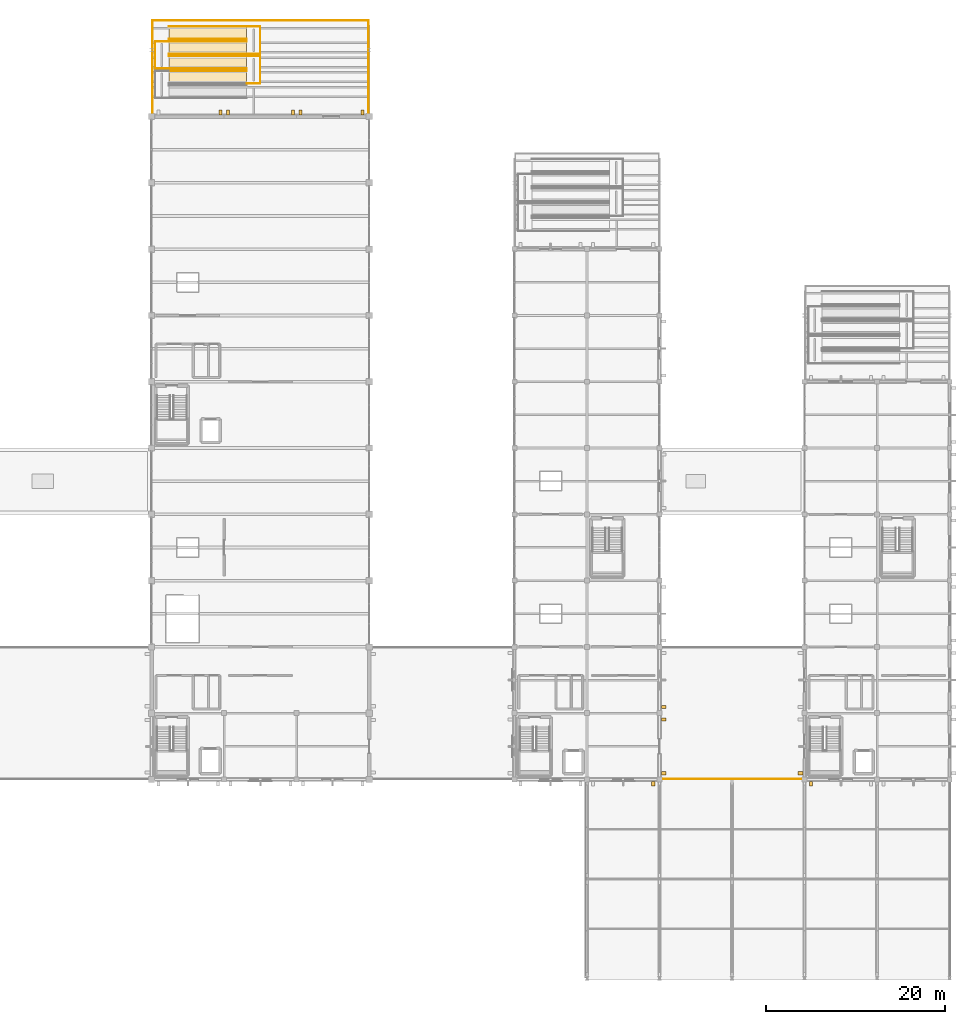
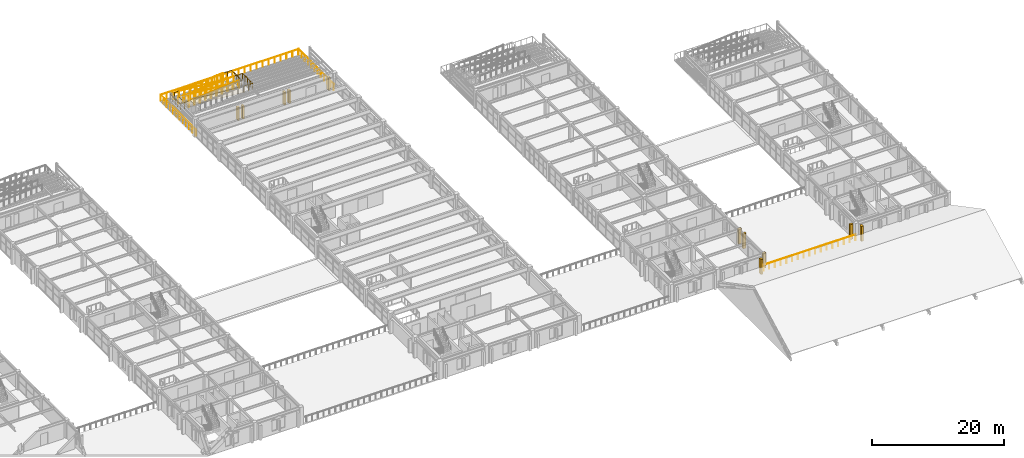
# One storey, part 119 of 121: 12 railings, 11 shading devices, 4 coverings.
"""IFC4 building model written with IfcOpenShell, lengths in metres."""

from ifc_helpers import new_model, si_unit, direction, frame, origin, origin_2d, place, context, subcontext, project, spatial, polyline, rectangle, circle, outline, extrude, material, layer, layer_set, type_object, element, save


model = new_model("IFC4")

# Units and contexts
model_context = context("Model", 3, precision=1e-05, world=origin(), true_north=direction((0.0, 1.0)))
body_context = subcontext(model_context, "Body", "Model", "MODEL_VIEW")
ifc_project = project(units=[si_unit("LENGTHUNIT", "METRE"), si_unit("AREAUNIT", "SQUARE_METRE"), si_unit("VOLUMEUNIT", "CUBIC_METRE"), si_unit("PLANEANGLEUNIT", "RADIAN"), si_unit("MASSUNIT", "GRAM", prefix="KILO")], contexts=[model_context])

# Site, building, storey
site_placement = place(None, origin())
site = spatial("IfcSite", under=ifc_project, at=site_placement, CompositionType="ELEMENT")
building_placement = place(site_placement, origin())
building = spatial("IfcBuilding", under=site, at=building_placement, Name="Cimatlan Art Gallery", CompositionType="ELEMENT")
storey_placement = place(building_placement, frame((0.0, 0.0, 10.199951171875)))
storey = spatial("IfcBuildingStorey", under=building, at=storey_placement, Name="L02", CompositionType="ELEMENT", Elevation=10.199951171875)

# Coverings
ifc_material_1 = material(Name="Queretaro cantera limestone ashlar hood-mould", Category="masonry")
ifc_layer = layer(ifc_material_1, 0.0419921875)
ifc_layer_set = layer_set([ifc_layer], Name="Queretaro cantera limestone ashlar hood-mould")
covering_type = type_object("IfcCoveringType", Name="COV-CLAD-CANTERA-42", PredefinedType="CLADDING", material=ifc_layer_set)
for number, where, z_axis, x_axis, name in (
    (1, (76.85009765625, 106.5, 0.0), (-0.08304314939, 0.0, 0.996545952447), (0.996545952447, 0.0, 0.08304314939), "COV-RMP-TER-B3-FL1"),
    (2, (76.85009765625, 104.85009765625, 1.43994140625), (0.08304314939, 0.0, 0.996545952447), (0.996545952447, 0.0, -0.08304314939), "COV-RMP-TER-B3-FL2"),
):
    element("IfcCovering", number, at=place(storey_placement, frame(where, z_axis=z_axis, x_axis=x_axis)), inside=storey, type_object=covering_type, Name=name, PredefinedType="CLADDING", context=body_context, shape_type="SweptSolid", body=[
        extrude(outline(polyline([(0.0, 0.0), (8.669838612967244, 0.0), (8.669838612967244, 1.5000000000000004), (0.0, 1.5000000000000004), (0.0, 0.0)])), origin(), (0.0, 0.0, -1.0), 0.02490234375),
    ])
covering_1_placement = place(storey_placement, frame((76.85009765625, 103.199951171875, 1.43994140625), z_axis=(-0.083071114863, 0.0, 0.996543621662), x_axis=(0.996543621662, 0.0, 0.083071114863)))
element("IfcCovering", 3, at=covering_1_placement, inside=storey, type_object=covering_type, Name="COV-RMP-TER-B3-FL3", PredefinedType="CLADDING", context=body_context, shape_type="SweptSolid", body=[
    extrude(outline(polyline([(0.0, 0.0), (8.669858890587395, 0.0), (8.669858890587395, 1.4999999999999998), (0.0, 1.4999999999999998), (0.0, 0.0)])), origin(), (0.0, 0.0, -1.0), 0.02490234375),
])
covering_2_placement = place(storey_placement, frame((76.85009765625, 101.550048828125, 2.880126953125), z_axis=(0.08304314939, 0.0, 0.996545952447), x_axis=(0.996545952447, 0.0, -0.08304314939)))
element("IfcCovering", 4, at=covering_2_placement, inside=storey, type_object=covering_type, Name="COV-RMP-TER-B3-FL4", PredefinedType="CLADDING", context=body_context, shape_type="SweptSolid", body=[
    extrude(outline(polyline([(0.0, 0.0), (8.669838612967244, 0.0), (8.669838612967244, 1.5000000000000004), (0.0, 1.5000000000000004), (0.0, 0.0)])), origin(), (0.0, 0.0, -1.0), 0.02490234375),
])

# Railings
ifc_material_2 = material(Name="Anodised bronze and laminated glass balustrade", Category="glass")
railing_type = type_object("IfcRailingType", Name="RL-BAL-EXT-1100", PredefinedType="BALUSTRADE", material=ifc_material_2)
for number, where, name in (
    (5, (76.85009765625, 106.550048828125, 0.0), "RMP-TER-B3-GR-F1S"),
    (6, (76.85009765625, 107.949951171875, 0.0), "RMP-TER-B3-GR-F1N"),
):
    element("IfcRailing", number, at=place(storey_placement, frame(where)), inside=storey, type_object=railing_type, Name=name, PredefinedType="BALUSTRADE", context=body_context, shape_type="SweptSolid", body=[
        extrude(circle(Radius=0.02587890625, at=origin_2d()), frame((0.0, 0.0, 1.09423828125), z_axis=(0.996545952447, 0.0, 0.08304314939), x_axis=(0.0, 1.0, 0.0)), (0.0, 0.0, 1.0), 8.669921875),
        extrude(circle(Radius=0.02099609375, at=origin_2d()), origin(), (0.0, 0.0, 1.0), 1.068115234375),
        extrude(circle(Radius=0.02099609375, at=origin_2d()), frame((0.9599609375, 0.0, 0.080078125)), (0.0, 0.0, 1.0), 1.068115234375),
        extrude(circle(Radius=0.02099609375, at=origin_2d()), frame((1.919921875, 0.0, 0.159912109375)), (0.0, 0.0, 1.0), 1.068115234375),
        extrude(circle(Radius=0.02099609375, at=origin_2d()), frame((2.8798828125, 0.0, 0.239990234375)), (0.0, 0.0, 1.0), 1.068115234375),
        extrude(circle(Radius=0.02099609375, at=origin_2d()), frame((3.83984375, 0.0, 0.320068359375)), (0.0, 0.0, 1.0), 1.068115234375),
        extrude(circle(Radius=0.02099609375, at=origin_2d()), frame((4.800048828125, 0.0, 0.39990234375)), (0.0, 0.0, 1.0), 1.068115234375),
        extrude(circle(Radius=0.02099609375, at=origin_2d()), frame((5.760009765625, 0.0, 0.47998046875)), (0.0, 0.0, 1.0), 1.068115234375),
        extrude(circle(Radius=0.02099609375, at=origin_2d()), frame((6.719970703125, 0.0, 0.56005859375)), (0.0, 0.0, 1.0), 1.068115234375),
        extrude(circle(Radius=0.02099609375, at=origin_2d()), frame((7.679931640625, 0.0, 0.639892578125)), (0.0, 0.0, 1.0), 1.068115234375),
        extrude(circle(Radius=0.02099609375, at=origin_2d()), frame((8.639892578125, 0.0, 0.719970703125)), (0.0, 0.0, 1.0), 1.068115234375),
    ])
railing_1_placement = place(storey_placement, frame((85.530029296875, 107.949951171875, 0.719970703125)))
element("IfcRailing", 7, at=railing_1_placement, inside=storey, type_object=railing_type, Name="RMP-TER-B3-GR-L1", PredefinedType="BALUSTRADE", context=body_context, shape_type="SweptSolid", body=[
    extrude(circle(Radius=0.02587890625, at=origin_2d()), frame((0.0, 0.0, 1.09423828125), z_axis=(1.0, 0.0, 0.0), x_axis=(0.0, 1.0, 0.0)), (0.0, 0.0, 1.0), 1.5),
    extrude(circle(Radius=0.02587890625, at=origin_2d()), frame((1.5, 0.0, 1.09423828125), z_axis=(0.0, -1.0, 0.0), x_axis=(1.0, 0.0, 0.0)), (0.0, 0.0, 1.0), 3.050048828125),
    extrude(circle(Radius=0.02587890625, at=origin_2d()), frame((1.5, -3.050048828125, 1.09423828125), z_axis=(-1.0, 0.0, 0.0), x_axis=(0.0, -1.0, 0.0)), (0.0, 0.0, 1.0), 1.5),
    extrude(circle(Radius=0.02099609375, at=origin_2d()), origin(), (0.0, 0.0, 1.0), 1.068115234375),
    extrude(circle(Radius=0.02099609375, at=origin_2d()), frame((0.75, 0.0, 0.0)), (0.0, 0.0, 1.0), 1.068115234375),
    extrude(circle(Radius=0.02099609375, at=origin_2d()), frame((1.5, 0.0, 0.0)), (0.0, 0.0, 1.0), 1.068115234375),
    extrude(circle(Radius=0.02099609375, at=origin_2d()), frame((1.5, -0.762451171875, 0.0)), (0.0, 0.0, 1.0), 1.068115234375),
    extrude(circle(Radius=0.02099609375, at=origin_2d()), frame((1.5, -1.52490234375, 0.0)), (0.0, 0.0, 1.0), 1.068115234375),
    extrude(circle(Radius=0.02099609375, at=origin_2d()), frame((1.5, -2.28759765625, 0.0)), (0.0, 0.0, 1.0), 1.068115234375),
    extrude(circle(Radius=0.02099609375, at=origin_2d()), frame((1.5, -3.050048828125, 0.0)), (0.0, 0.0, 1.0), 1.068115234375),
    extrude(circle(Radius=0.02099609375, at=origin_2d()), frame((0.75, -3.050048828125, 0.0)), (0.0, 0.0, 1.0), 1.068115234375),
    extrude(circle(Radius=0.02099609375, at=origin_2d()), frame((0.0, -3.050048828125, 0.0)), (0.0, 0.0, 1.0), 1.068115234375),
])
for number, where, name in (
    (8, (85.489990234375, 104.89990234375, 0.719970703125), "RMP-TER-B3-GR-F2S"),
    (9, (85.489990234375, 106.300048828125, 0.719970703125), "RMP-TER-B3-GR-F2N"),
):
    element("IfcRailing", number, at=place(storey_placement, frame(where)), inside=storey, type_object=railing_type, Name=name, PredefinedType="BALUSTRADE", context=body_context, shape_type="SweptSolid", body=[
        extrude(circle(Radius=0.02587890625, at=origin_2d()), frame((0.0, 0.0, 1.09423828125), z_axis=(-0.996545952447, 0.0, 0.08304314939), x_axis=(0.0, -1.0, 0.0)), (0.0, 0.0, 1.0), 8.669921875),
        extrude(circle(Radius=0.02099609375, at=origin_2d()), origin(), (0.0, 0.0, 1.0), 1.068115234375),
        extrude(circle(Radius=0.02099609375, at=origin_2d()), frame((-0.9599609375, 0.0, 0.080078125)), (0.0, 0.0, 1.0), 1.068115234375),
        extrude(circle(Radius=0.02099609375, at=origin_2d()), frame((-1.919921875, 0.0, 0.159912109375)), (0.0, 0.0, 1.0), 1.068115234375),
        extrude(circle(Radius=0.02099609375, at=origin_2d()), frame((-2.8798828125, 0.0, 0.239990234375)), (0.0, 0.0, 1.0), 1.068115234375),
        extrude(circle(Radius=0.02099609375, at=origin_2d()), frame((-3.83984375, 0.0, 0.320068359375)), (0.0, 0.0, 1.0), 1.068115234375),
        extrude(circle(Radius=0.02099609375, at=origin_2d()), frame((-4.800048828125, 0.0, 0.39990234375)), (0.0, 0.0, 1.0), 1.068115234375),
        extrude(circle(Radius=0.02099609375, at=origin_2d()), frame((-5.760009765625, 0.0, 0.47998046875)), (0.0, 0.0, 1.0), 1.068115234375),
        extrude(circle(Radius=0.02099609375, at=origin_2d()), frame((-6.719970703125, 0.0, 0.56005859375)), (0.0, 0.0, 1.0), 1.068115234375),
        extrude(circle(Radius=0.02099609375, at=origin_2d()), frame((-7.679931640625, 0.0, 0.639892578125)), (0.0, 0.0, 1.0), 1.068115234375),
        extrude(circle(Radius=0.02099609375, at=origin_2d()), frame((-8.639892578125, 0.0, 0.719970703125)), (0.0, 0.0, 1.0), 1.068115234375),
    ])
railing_2_placement = place(storey_placement, frame((76.81005859375, 106.300048828125, 1.43994140625)))
element("IfcRailing", 10, at=railing_2_placement, inside=storey, type_object=railing_type, Name="RMP-TER-B3-GR-L2", PredefinedType="BALUSTRADE", context=body_context, shape_type="SweptSolid", body=[
    extrude(circle(Radius=0.02587890625, at=origin_2d()), frame((0.0, 0.0, 1.09423828125), z_axis=(-1.0, 0.0, 0.0), x_axis=(0.0, -1.0, 0.0)), (0.0, 0.0, 1.0), 1.5),
    extrude(circle(Radius=0.02587890625, at=origin_2d()), frame((-1.5, 0.0, 1.09423828125), z_axis=(0.0, -1.0, 0.0), x_axis=(1.0, 0.0, 0.0)), (0.0, 0.0, 1.0), 3.050048828125),
    extrude(circle(Radius=0.02587890625, at=origin_2d()), frame((-1.5, -3.050048828125, 1.09423828125), z_axis=(1.0, 0.0, 0.0), x_axis=(0.0, 1.0, 0.0)), (0.0, 0.0, 1.0), 1.5),
    extrude(circle(Radius=0.02099609375, at=origin_2d()), origin(), (0.0, 0.0, 1.0), 1.068115234375),
    extrude(circle(Radius=0.02099609375, at=origin_2d()), frame((-0.75, 0.0, 0.0)), (0.0, 0.0, 1.0), 1.068115234375),
    extrude(circle(Radius=0.02099609375, at=origin_2d()), frame((-1.5, 0.0, 0.0)), (0.0, 0.0, 1.0), 1.068115234375),
    extrude(circle(Radius=0.02099609375, at=origin_2d()), frame((-1.5, -0.762451171875, 0.0)), (0.0, 0.0, 1.0), 1.068115234375),
    extrude(circle(Radius=0.02099609375, at=origin_2d()), frame((-1.5, -1.52490234375, 0.0)), (0.0, 0.0, 1.0), 1.068115234375),
    extrude(circle(Radius=0.02099609375, at=origin_2d()), frame((-1.5, -2.28759765625, 0.0)), (0.0, 0.0, 1.0), 1.068115234375),
    extrude(circle(Radius=0.02099609375, at=origin_2d()), frame((-1.5, -3.050048828125, 0.0)), (0.0, 0.0, 1.0), 1.068115234375),
    extrude(circle(Radius=0.02099609375, at=origin_2d()), frame((-0.75, -3.050048828125, 0.0)), (0.0, 0.0, 1.0), 1.068115234375),
    extrude(circle(Radius=0.02099609375, at=origin_2d()), frame((0.0, -3.050048828125, 0.0)), (0.0, 0.0, 1.0), 1.068115234375),
])
for number, where, name in (
    (11, (76.85009765625, 103.25, 1.43994140625), "RMP-TER-B3-GR-F3S"),
    (12, (76.85009765625, 104.64990234375, 1.43994140625), "RMP-TER-B3-GR-F3N"),
):
    element("IfcRailing", number, at=place(storey_placement, frame(where)), inside=storey, type_object=railing_type, Name=name, PredefinedType="BALUSTRADE", context=body_context, shape_type="SweptSolid", body=[
        extrude(circle(Radius=0.02587890625, at=origin_2d()), frame((0.0, 0.0, 1.09423828125), z_axis=(0.996543621662, 0.0, 0.083071114863), x_axis=(0.0, 1.0, 0.0)), (0.0, 0.0, 1.0), 8.669921875),
        extrude(circle(Radius=0.02099609375, at=origin_2d()), origin(), (0.0, 0.0, 1.0), 1.068115234375),
        extrude(circle(Radius=0.02099609375, at=origin_2d()), frame((0.9599609375, 0.0, 0.080078125)), (0.0, 0.0, 1.0), 1.068115234375),
        extrude(circle(Radius=0.02099609375, at=origin_2d()), frame((1.919921875, 0.0, 0.16015625)), (0.0, 0.0, 1.0), 1.068115234375),
        extrude(circle(Radius=0.02099609375, at=origin_2d()), frame((2.8798828125, 0.0, 0.239990234375)), (0.0, 0.0, 1.0), 1.068115234375),
        extrude(circle(Radius=0.02099609375, at=origin_2d()), frame((3.83984375, 0.0, 0.320068359375)), (0.0, 0.0, 1.0), 1.068115234375),
        extrude(circle(Radius=0.02099609375, at=origin_2d()), frame((4.800048828125, 0.0, 0.400146484375)), (0.0, 0.0, 1.0), 1.068115234375),
        extrude(circle(Radius=0.02099609375, at=origin_2d()), frame((5.760009765625, 0.0, 0.480224609375)), (0.0, 0.0, 1.0), 1.068115234375),
        extrude(circle(Radius=0.02099609375, at=origin_2d()), frame((6.719970703125, 0.0, 0.56005859375)), (0.0, 0.0, 1.0), 1.068115234375),
        extrude(circle(Radius=0.02099609375, at=origin_2d()), frame((7.679931640625, 0.0, 0.64013671875)), (0.0, 0.0, 1.0), 1.068115234375),
        extrude(circle(Radius=0.02099609375, at=origin_2d()), frame((8.639892578125, 0.0, 0.72021484375)), (0.0, 0.0, 1.0), 1.068115234375),
    ])
railing_3_placement = place(storey_placement, frame((85.530029296875, 104.64990234375, 2.16015625)))
element("IfcRailing", 13, at=railing_3_placement, inside=storey, type_object=railing_type, Name="RMP-TER-B3-GR-L3", PredefinedType="BALUSTRADE", context=body_context, shape_type="SweptSolid", body=[
    extrude(circle(Radius=0.02587890625, at=origin_2d()), frame((0.0, 0.0, 1.09423828125), z_axis=(1.0, 0.0, 0.0), x_axis=(0.0, 1.0, 0.0)), (0.0, 0.0, 1.0), 1.5),
    extrude(circle(Radius=0.02587890625, at=origin_2d()), frame((1.5, 0.0, 1.09423828125), z_axis=(0.0, -1.0, 0.0), x_axis=(1.0, 0.0, 0.0)), (0.0, 0.0, 1.0), 3.0498046875),
    extrude(circle(Radius=0.02587890625, at=origin_2d()), frame((1.5, -3.0498046875, 1.09423828125), z_axis=(-1.0, 0.0, 0.0), x_axis=(0.0, -1.0, 0.0)), (0.0, 0.0, 1.0), 1.5),
    extrude(circle(Radius=0.02099609375, at=origin_2d()), origin(), (0.0, 0.0, 1.0), 1.068115234375),
    extrude(circle(Radius=0.02099609375, at=origin_2d()), frame((0.75, 0.0, 0.0)), (0.0, 0.0, 1.0), 1.068115234375),
    extrude(circle(Radius=0.02099609375, at=origin_2d()), frame((1.5, 0.0, 0.0)), (0.0, 0.0, 1.0), 1.068115234375),
    extrude(circle(Radius=0.02099609375, at=origin_2d()), frame((1.5, -0.762451171875, 0.0)), (0.0, 0.0, 1.0), 1.068115234375),
    extrude(circle(Radius=0.02099609375, at=origin_2d()), frame((1.5, -1.52490234375, 0.0)), (0.0, 0.0, 1.0), 1.068115234375),
    extrude(circle(Radius=0.02099609375, at=origin_2d()), frame((1.5, -2.287353515625, 0.0)), (0.0, 0.0, 1.0), 1.068115234375),
    extrude(circle(Radius=0.02099609375, at=origin_2d()), frame((1.5, -3.0498046875, 0.0)), (0.0, 0.0, 1.0), 1.068115234375),
    extrude(circle(Radius=0.02099609375, at=origin_2d()), frame((0.75, -3.0498046875, 0.0)), (0.0, 0.0, 1.0), 1.068115234375),
    extrude(circle(Radius=0.02099609375, at=origin_2d()), frame((0.0, -3.0498046875, 0.0)), (0.0, 0.0, 1.0), 1.068115234375),
])
railing_4_placement = place(storey_placement, frame((85.489990234375, 103.0, 2.16015625)))
element("IfcRailing", 14, at=railing_4_placement, inside=storey, type_object=railing_type, Name="RMP-TER-B3-GR-F4N", PredefinedType="BALUSTRADE", context=body_context, shape_type="SweptSolid", body=[
    extrude(circle(Radius=0.02587890625, at=origin_2d()), frame((0.0, 0.0, 1.09423828125), z_axis=(-0.996545952447, 0.0, 0.08304314939), x_axis=(0.0, -1.0, 0.0)), (0.0, 0.0, 1.0), 8.669921875),
    extrude(circle(Radius=0.02099609375, at=origin_2d()), origin(), (0.0, 0.0, 1.0), 1.068115234375),
    extrude(circle(Radius=0.02099609375, at=origin_2d()), frame((-0.9599609375, 0.0, 0.080078125)), (0.0, 0.0, 1.0), 1.068115234375),
    extrude(circle(Radius=0.02099609375, at=origin_2d()), frame((-1.919921875, 0.0, 0.159912109375)), (0.0, 0.0, 1.0), 1.068115234375),
    extrude(circle(Radius=0.02099609375, at=origin_2d()), frame((-2.8798828125, 0.0, 0.239990234375)), (0.0, 0.0, 1.0), 1.068115234375),
    extrude(circle(Radius=0.02099609375, at=origin_2d()), frame((-3.83984375, 0.0, 0.320068359375)), (0.0, 0.0, 1.0), 1.068115234375),
    extrude(circle(Radius=0.02099609375, at=origin_2d()), frame((-4.800048828125, 0.0, 0.39990234375)), (0.0, 0.0, 1.0), 1.068115234375),
    extrude(circle(Radius=0.02099609375, at=origin_2d()), frame((-5.760009765625, 0.0, 0.47998046875)), (0.0, 0.0, 1.0), 1.068115234375),
    extrude(circle(Radius=0.02099609375, at=origin_2d()), frame((-6.719970703125, 0.0, 0.56005859375)), (0.0, 0.0, 1.0), 1.068115234375),
    extrude(circle(Radius=0.02099609375, at=origin_2d()), frame((-7.679931640625, 0.0, 0.639892578125)), (0.0, 0.0, 1.0), 1.068115234375),
    extrude(circle(Radius=0.02099609375, at=origin_2d()), frame((-8.639892578125, 0.0, 0.719970703125)), (0.0, 0.0, 1.0), 1.068115234375),
])
railing_5_placement = place(storey_placement, frame((74.97998046875, 97.919921875, 0.0)))
element("IfcRailing", 15, at=railing_5_placement, inside=storey, type_object=railing_type, Name="GR-TER-03", PredefinedType="BALUSTRADE", context=body_context, shape_type="SweptSolid", body=[
    extrude(circle(Radius=0.02587890625, at=origin_2d()), frame((0.0, 0.0, 1.09423828125), z_axis=(0.0, 1.0, 0.0), x_axis=(-1.0, 0.0, 0.0)), (0.0, 0.0, 1.0), 10.68212890625),
    extrude(circle(Radius=0.02587890625, at=origin_2d()), frame((0.0, 10.68212890625, 1.09423828125), z_axis=(1.0, 0.0, 0.0), x_axis=(0.0, 1.0, 0.0)), (0.0, 0.0, 1.0), 24.14013671875),
    extrude(circle(Radius=0.02587890625, at=origin_2d()), frame((24.14013671875, 10.68212890625, 1.09423828125), z_axis=(0.0, -1.0, 0.0), x_axis=(1.0, 0.0, 0.0)), (0.0, 0.0, 1.0), 10.68212890625),
    extrude(circle(Radius=0.02099609375, at=origin_2d()), origin(), (0.0, 0.0, 1.0), 1.068115234375),
    extrude(circle(Radius=0.02099609375, at=origin_2d()), frame((0.0, 0.97119140625, 0.0)), (0.0, 0.0, 1.0), 1.068115234375),
    extrude(circle(Radius=0.02099609375, at=origin_2d()), frame((0.0, 1.942138671875, 0.0)), (0.0, 0.0, 1.0), 1.068115234375),
    extrude(circle(Radius=0.02099609375, at=origin_2d()), frame((0.0, 2.913330078125, 0.0)), (0.0, 0.0, 1.0), 1.068115234375),
    extrude(circle(Radius=0.02099609375, at=origin_2d()), frame((0.0, 3.884521484375, 0.0)), (0.0, 0.0, 1.0), 1.068115234375),
    extrude(circle(Radius=0.02099609375, at=origin_2d()), frame((0.0, 4.85546875, 0.0)), (0.0, 0.0, 1.0), 1.068115234375),
    extrude(circle(Radius=0.02099609375, at=origin_2d()), frame((0.0, 5.82666015625, 0.0)), (0.0, 0.0, 1.0), 1.068115234375),
    extrude(circle(Radius=0.02099609375, at=origin_2d()), frame((0.0, 6.797607421875, 0.0)), (0.0, 0.0, 1.0), 1.068115234375),
    extrude(circle(Radius=0.02099609375, at=origin_2d()), frame((0.0, 7.768798828125, 0.0)), (0.0, 0.0, 1.0), 1.068115234375),
    extrude(circle(Radius=0.02099609375, at=origin_2d()), frame((0.0, 8.739990234375, 0.0)), (0.0, 0.0, 1.0), 1.068115234375),
    extrude(circle(Radius=0.02099609375, at=origin_2d()), frame((0.0, 9.7109375, 0.0)), (0.0, 0.0, 1.0), 1.068115234375),
    extrude(circle(Radius=0.02099609375, at=origin_2d()), frame((0.0, 10.68212890625, 0.0)), (0.0, 0.0, 1.0), 1.068115234375),
    extrude(circle(Radius=0.02099609375, at=origin_2d()), frame((1.049560546875, 10.68212890625, 0.0)), (0.0, 0.0, 1.0), 1.068115234375),
    extrude(circle(Radius=0.02099609375, at=origin_2d()), frame((2.09912109375, 10.68212890625, 0.0)), (0.0, 0.0, 1.0), 1.068115234375),
    extrude(circle(Radius=0.02099609375, at=origin_2d()), frame((3.148681640625, 10.68212890625, 0.0)), (0.0, 0.0, 1.0), 1.068115234375),
    extrude(circle(Radius=0.02099609375, at=origin_2d()), frame((4.1982421875, 10.68212890625, 0.0)), (0.0, 0.0, 1.0), 1.068115234375),
    extrude(circle(Radius=0.02099609375, at=origin_2d()), frame((5.247802734375, 10.68212890625, 0.0)), (0.0, 0.0, 1.0), 1.068115234375),
    extrude(circle(Radius=0.02099609375, at=origin_2d()), frame((6.29736328125, 10.68212890625, 0.0)), (0.0, 0.0, 1.0), 1.068115234375),
    extrude(circle(Radius=0.02099609375, at=origin_2d()), frame((7.346923828125, 10.68212890625, 0.0)), (0.0, 0.0, 1.0), 1.068115234375),
    extrude(circle(Radius=0.02099609375, at=origin_2d()), frame((8.396484375, 10.68212890625, 0.0)), (0.0, 0.0, 1.0), 1.068115234375),
    extrude(circle(Radius=0.02099609375, at=origin_2d()), frame((9.446044921875, 10.68212890625, 0.0)), (0.0, 0.0, 1.0), 1.068115234375),
    extrude(circle(Radius=0.02099609375, at=origin_2d()), frame((10.49560546875, 10.68212890625, 0.0)), (0.0, 0.0, 1.0), 1.068115234375),
    extrude(circle(Radius=0.02099609375, at=origin_2d()), frame((11.545166015625, 10.68212890625, 0.0)), (0.0, 0.0, 1.0), 1.068115234375),
    extrude(circle(Radius=0.02099609375, at=origin_2d()), frame((12.594970703125, 10.68212890625, 0.0)), (0.0, 0.0, 1.0), 1.068115234375),
    extrude(circle(Radius=0.02099609375, at=origin_2d()), frame((13.64453125, 10.68212890625, 0.0)), (0.0, 0.0, 1.0), 1.068115234375),
    extrude(circle(Radius=0.02099609375, at=origin_2d()), frame((14.694091796875, 10.68212890625, 0.0)), (0.0, 0.0, 1.0), 1.068115234375),
    extrude(circle(Radius=0.02099609375, at=origin_2d()), frame((15.74365234375, 10.68212890625, 0.0)), (0.0, 0.0, 1.0), 1.068115234375),
    extrude(circle(Radius=0.02099609375, at=origin_2d()), frame((16.793212890625, 10.68212890625, 0.0)), (0.0, 0.0, 1.0), 1.068115234375),
    extrude(circle(Radius=0.02099609375, at=origin_2d()), frame((17.8427734375, 10.68212890625, 0.0)), (0.0, 0.0, 1.0), 1.068115234375),
    extrude(circle(Radius=0.02099609375, at=origin_2d()), frame((18.892333984375, 10.68212890625, 0.0)), (0.0, 0.0, 1.0), 1.068115234375),
    extrude(circle(Radius=0.02099609375, at=origin_2d()), frame((19.94189453125, 10.68212890625, 0.0)), (0.0, 0.0, 1.0), 1.068115234375),
    extrude(circle(Radius=0.02099609375, at=origin_2d()), frame((20.991455078125, 10.68212890625, 0.0)), (0.0, 0.0, 1.0), 1.068115234375),
    extrude(circle(Radius=0.02099609375, at=origin_2d()), frame((22.041015625, 10.68212890625, 0.0)), (0.0, 0.0, 1.0), 1.068115234375),
    extrude(circle(Radius=0.02099609375, at=origin_2d()), frame((23.090576171875, 10.68212890625, 0.0)), (0.0, 0.0, 1.0), 1.068115234375),
    extrude(circle(Radius=0.02099609375, at=origin_2d()), frame((24.14013671875, 10.68212890625, 0.0)), (0.0, 0.0, 1.0), 1.068115234375),
    extrude(circle(Radius=0.02099609375, at=origin_2d()), frame((24.14013671875, 9.7109375, 0.0)), (0.0, 0.0, 1.0), 1.068115234375),
    extrude(circle(Radius=0.02099609375, at=origin_2d()), frame((24.14013671875, 8.739990234375, 0.0)), (0.0, 0.0, 1.0), 1.068115234375),
    extrude(circle(Radius=0.02099609375, at=origin_2d()), frame((24.14013671875, 7.768798828125, 0.0)), (0.0, 0.0, 1.0), 1.068115234375),
    extrude(circle(Radius=0.02099609375, at=origin_2d()), frame((24.14013671875, 6.797607421875, 0.0)), (0.0, 0.0, 1.0), 1.068115234375),
    extrude(circle(Radius=0.02099609375, at=origin_2d()), frame((24.14013671875, 5.82666015625, 0.0)), (0.0, 0.0, 1.0), 1.068115234375),
    extrude(circle(Radius=0.02099609375, at=origin_2d()), frame((24.14013671875, 4.85546875, 0.0)), (0.0, 0.0, 1.0), 1.068115234375),
    extrude(circle(Radius=0.02099609375, at=origin_2d()), frame((24.14013671875, 3.884521484375, 0.0)), (0.0, 0.0, 1.0), 1.068115234375),
    extrude(circle(Radius=0.02099609375, at=origin_2d()), frame((24.14013671875, 2.913330078125, 0.0)), (0.0, 0.0, 1.0), 1.068115234375),
    extrude(circle(Radius=0.02099609375, at=origin_2d()), frame((24.14013671875, 1.942138671875, 0.0)), (0.0, 0.0, 1.0), 1.068115234375),
    extrude(circle(Radius=0.02099609375, at=origin_2d()), frame((24.14013671875, 0.97119140625, 0.0)), (0.0, 0.0, 1.0), 1.068115234375),
    extrude(circle(Radius=0.02099609375, at=origin_2d()), frame((24.14013671875, 0.0, 0.0)), (0.0, 0.0, 1.0), 1.068115234375),
])
railing_6_placement = place(storey_placement, frame((131.639892578125, 23.97998046875, 0.0)))
element("IfcRailing", 16, at=railing_6_placement, inside=storey, type_object=railing_type, Name="GR-TER-12", PredefinedType="BALUSTRADE", context=body_context, shape_type="SweptSolid", body=[
    extrude(circle(Radius=0.02587890625, at=origin_2d()), frame((0.0, 0.0, 1.09423828125), z_axis=(1.0, 0.0, 0.0), x_axis=(0.0, 1.0, 0.0)), (0.0, 0.0, 1.0), 16.1201171875),
    extrude(circle(Radius=0.02099609375, at=origin_2d()), origin(), (0.0, 0.0, 1.0), 1.068115234375),
    extrude(circle(Radius=0.02099609375, at=origin_2d()), frame((1.007568359375, 0.0, 0.0)), (0.0, 0.0, 1.0), 1.068115234375),
    extrude(circle(Radius=0.02099609375, at=origin_2d()), frame((2.01513671875, 0.0, 0.0)), (0.0, 0.0, 1.0), 1.068115234375),
    extrude(circle(Radius=0.02099609375, at=origin_2d()), frame((3.0224609375, 0.0, 0.0)), (0.0, 0.0, 1.0), 1.068115234375),
    extrude(circle(Radius=0.02099609375, at=origin_2d()), frame((4.030029296875, 0.0, 0.0)), (0.0, 0.0, 1.0), 1.068115234375),
    extrude(circle(Radius=0.02099609375, at=origin_2d()), frame((5.03759765625, 0.0, 0.0)), (0.0, 0.0, 1.0), 1.068115234375),
    extrude(circle(Radius=0.02099609375, at=origin_2d()), frame((6.044921875, 0.0, 0.0)), (0.0, 0.0, 1.0), 1.068115234375),
    extrude(circle(Radius=0.02099609375, at=origin_2d()), frame((7.052490234375, 0.0, 0.0)), (0.0, 0.0, 1.0), 1.068115234375),
    extrude(circle(Radius=0.02099609375, at=origin_2d()), frame((8.06005859375, 0.0, 0.0)), (0.0, 0.0, 1.0), 1.068115234375),
    extrude(circle(Radius=0.02099609375, at=origin_2d()), frame((9.067626953125, 0.0, 0.0)), (0.0, 0.0, 1.0), 1.068115234375),
    extrude(circle(Radius=0.02099609375, at=origin_2d()), frame((10.0751953125, 0.0, 0.0)), (0.0, 0.0, 1.0), 1.068115234375),
    extrude(circle(Radius=0.02099609375, at=origin_2d()), frame((11.08251953125, 0.0, 0.0)), (0.0, 0.0, 1.0), 1.068115234375),
    extrude(circle(Radius=0.02099609375, at=origin_2d()), frame((12.090087890625, 0.0, 0.0)), (0.0, 0.0, 1.0), 1.068115234375),
    extrude(circle(Radius=0.02099609375, at=origin_2d()), frame((13.09765625, 0.0, 0.0)), (0.0, 0.0, 1.0), 1.068115234375),
    extrude(circle(Radius=0.02099609375, at=origin_2d()), frame((14.10498046875, 0.0, 0.0)), (0.0, 0.0, 1.0), 1.068115234375),
    extrude(circle(Radius=0.02099609375, at=origin_2d()), frame((15.112548828125, 0.0, 0.0)), (0.0, 0.0, 1.0), 1.068115234375),
    extrude(circle(Radius=0.02099609375, at=origin_2d()), frame((16.1201171875, 0.0, 0.0)), (0.0, 0.0, 1.0), 1.068115234375),
])

# Shading devices
ifc_material_3 = material(Name="Queretaro cantera limestone buttress pilaster", Category="masonry")
shading_device_type = type_object("IfcShadingDeviceType", Name="SHD-BUT-520", PredefinedType="USERDEFINED", material=ifc_material_3)
for number, where, z_axis, x_axis, name in (
    (17, (82.575927734375, 98.35791015625, 0.06005859375), (0.0, 0.0, 1.0), (1.0, 0.0, 0.0), "BUT-0278"),
    (18, (83.424072265625, 98.35791015625, 0.06005859375), (0.0, 0.0, 1.0), (1.0, 0.0, 0.0), "BUT-0281"),
    (19, (90.676025390625, 98.35791015625, 0.06005859375), (0.0, 0.0, 1.0), (1.0, 0.0, 0.0), "BUT-0282"),
    (20, (91.52392578125, 98.35791015625, 0.06005859375), (0.0, 0.0, 1.0), (1.0, 0.0, 0.0), "BUT-0289"),
    (21, (98.426025390625, 98.35791015625, 0.06005859375), (0.0, 0.0, 1.0), (1.0, 0.0, 0.0), "BUT-0290"),
):
    element("IfcShadingDevice", number, at=place(storey_placement, frame(where, z_axis=z_axis, x_axis=x_axis)), inside=storey, type_object=shading_device_type, Name=name, ObjectType="FIN", PredefinedType="USERDEFINED", context=body_context, shape_type="SweptSolid", body=[
        extrude(rectangle(XDim=0.340087890625, YDim=0.52001953125, at=origin_2d()), origin(), (0.0, 0.0, 1.0), 2.388916015625),
    ])
for number, where, z_axis, x_axis, name in (
    (22, (130.90087890625, 23.44189453125, 0.06005859375), (0.0, 0.0, 1.0), (-1.0, 0.0, 0.0), "BUT-0299"),
    (23, (132.05810546875, 30.60107421875, 0.06005859375), (0.0, 0.0, 1.0), (0.0, -1.0, 0.0), "BUT-0301"),
    (24, (132.05810546875, 24.59912109375, 0.06005859375), (0.0, 0.0, 1.0), (0.0, -1.0, 0.0), "BUT-0302"),
    (25, (132.05810546875, 31.9990234375, 0.06005859375), (0.0, 0.0, 1.0), (0.0, -1.0, 0.0), "BUT-0304"),
    (26, (148.4990234375, 23.44189453125, 0.06005859375), (0.0, 0.0, 1.0), (-1.0, 0.0, 0.0), "BUT-0314"),
    (27, (147.342041015625, 24.59912109375, 0.06005859375), (0.0, 0.0, 1.0), (0.0, 1.0, 0.0), "BUT-0315"),
):
    element("IfcShadingDevice", number, at=place(storey_placement, frame(where, z_axis=z_axis, x_axis=x_axis)), inside=storey, type_object=shading_device_type, Name=name, ObjectType="FIN", PredefinedType="USERDEFINED", context=body_context, shape_type="SweptSolid", body=[
        extrude(rectangle(XDim=0.340087890625, YDim=0.52001953125, at=origin_2d()), origin(), (0.0, 0.0, 1.0), 2.778076171875),
    ])

save(model, "model.ifc")
